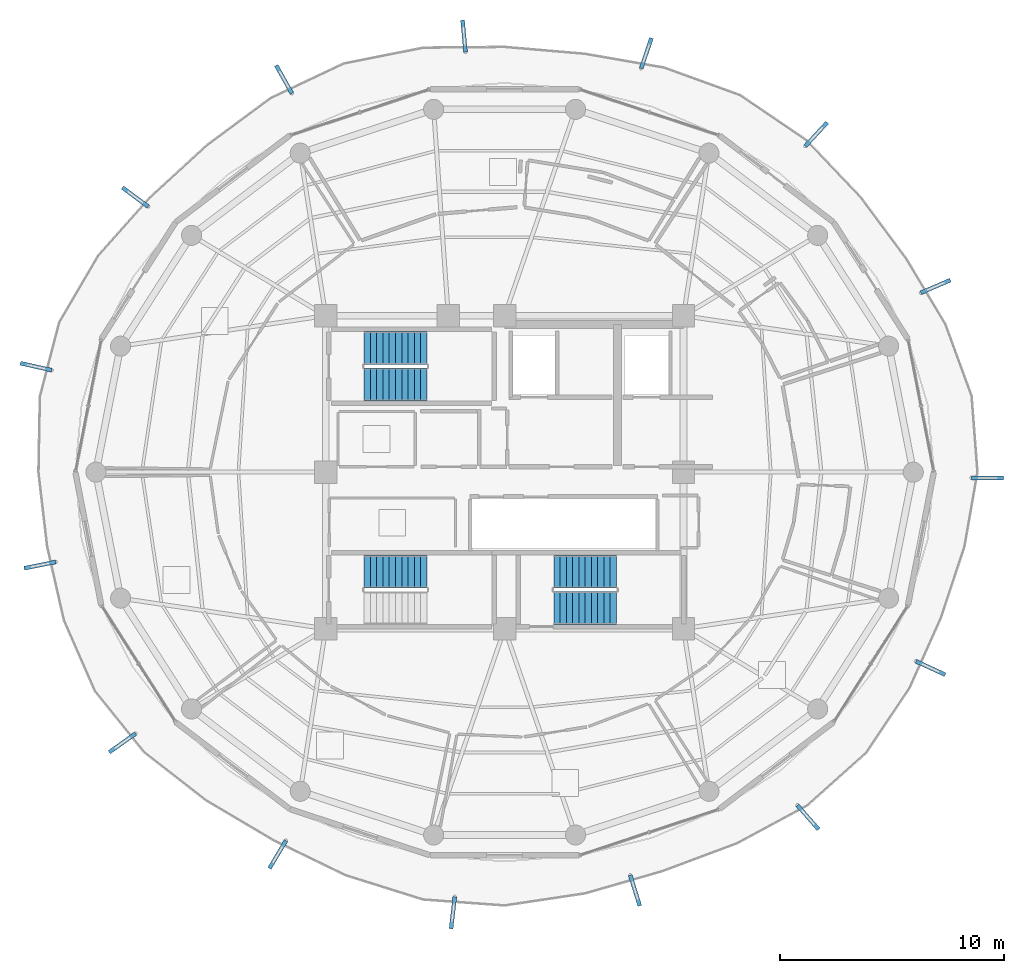
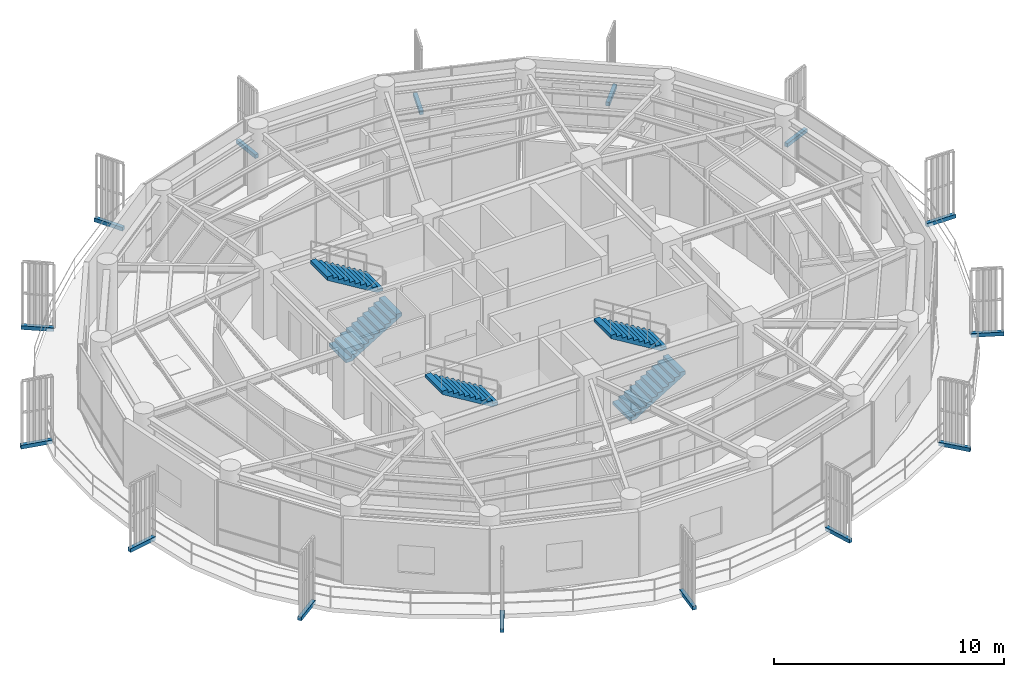
# One storey, part 18 of 22: 15 discrete accessories, 5 stair flights, 3 elements without a shape of their own.
"""IFC4 building model written with IfcOpenShell, lengths in metres."""

from ifc_helpers import new_model, si_unit, direction, frame, origin, origin_2d, place, context, subcontext, project, spatial, polyline, rectangle, outline, extrude, source, transform, mapped, material, type_object, element, aggregate, save


model = new_model("IFC4")

# Units and contexts
model_context = context("Model", 3, precision=1e-05, world=origin(), true_north=direction((0.0, 1.0)))
body_context = subcontext(model_context, "Body", "Model", "MODEL_VIEW")
ifc_project = project(units=[si_unit("LENGTHUNIT", "METRE"), si_unit("AREAUNIT", "SQUARE_METRE"), si_unit("VOLUMEUNIT", "CUBIC_METRE"), si_unit("PLANEANGLEUNIT", "RADIAN"), si_unit("MASSUNIT", "GRAM", prefix="KILO")], contexts=[model_context])

# Site, building, storey
site_placement = place(None, origin())
site = spatial("IfcSite", under=ifc_project, at=site_placement, CompositionType="ELEMENT")
building_placement = place(site_placement, origin())
building = spatial("IfcBuilding", under=site, at=building_placement, Name="Kelanora Arch Commons", CompositionType="ELEMENT")
storey_placement = place(building_placement, frame((0.0, 0.0, 267.449951171875)))
storey = spatial("IfcBuildingStorey", under=building, at=storey_placement, Name="L68", CompositionType="ELEMENT", Elevation=267.449951171875)

# Stair, stair flights
ifc_material_1 = material(Name="Concrete C40/50", Category="concrete")
stair_type = type_object("IfcStairType", Name="STR-DL-375", PredefinedType="HALF_TURN_STAIR", material=ifc_material_1)
stair_1_placement = place(storey_placement, origin())
stair_1 = element("IfcStair", 1, at=stair_1_placement, inside=storey, type_object=stair_type, Name="L68 ST-T1", PredefinedType="HALF_TURN_STAIR")
stair_flight_type = type_object("IfcStairFlightType", Name="FLT-DL-375", PredefinedType="STRAIGHT", material=ifc_material_1)
stair_flight_1_placement = place(storey_placement, frame((67.719970703125, 61.919921875, 0.0), z_axis=(0.0, 0.0, 1.0), x_axis=(1.0, 0.0, 0.0)))
stair_flight_1 = element("IfcStairFlight", 2, at=stair_flight_1_placement, type_object=stair_flight_type, Name="ST-T1 flight 1", NumberOfRisers=11, NumberOfTreads=10, PredefinedType="STRAIGHT", RiserHeight=0.170454545, TreadLength=0.28, context=body_context, shape_type="SweptSolid", body=[
    extrude(outline(polyline([(0.0, 0.0), (0.0, 0.17041015625), (0.280029296875, 0.17041015625), (0.280029296875, 0.3408203125), (0.56005859375, 0.3408203125), (0.56005859375, 0.511474609375), (0.840087890625, 0.511474609375), (0.840087890625, 0.681884765625), (1.1201171875, 0.681884765625), (1.1201171875, 0.852294921875), (1.39990234375, 0.852294921875), (1.39990234375, 1.022705078125), (1.679931640625, 1.022705078125), (1.679931640625, 1.193115234375), (1.9599609375, 1.193115234375), (1.9599609375, 1.363525390625), (2.239990234375, 1.363525390625), (2.239990234375, 1.5341796875), (2.52001953125, 1.5341796875), (2.52001953125, 1.70458984375), (2.800048828125, 1.70458984375), (2.800048828125, 1.875), (2.800048828125, 1.529052734375), (0.288330078125, 0.0), (0.0, 0.0)])), frame((0.0, 0.739990234375, 0.0), z_axis=(0.0, -1.0, 0.0), x_axis=(1.0, 0.0, 0.0)), (0.0, 0.0, 1.0), 1.47998046875),
])
stair_flight_2_placement = place(storey_placement, frame((70.52001953125, 63.550048828125, 1.875), z_axis=(0.0, 0.0, 1.0), x_axis=(-1.0, 0.0, 0.0)))
stair_flight_2 = element("IfcStairFlight", 3, at=stair_flight_2_placement, type_object=stair_flight_type, Name="ST-T1 flight 2", NumberOfRisers=11, NumberOfTreads=10, PredefinedType="STRAIGHT", RiserHeight=0.170454545, TreadLength=0.28, context=body_context, shape_type="SweptSolid", body=[
    extrude(outline(polyline([(0.0, 0.0), (0.0, 0.17041015625), (0.280029296875, 0.17041015625), (0.280029296875, 0.3408203125), (0.56005859375, 0.3408203125), (0.56005859375, 0.511474609375), (0.840087890625, 0.511474609375), (0.840087890625, 0.681884765625), (1.1201171875, 0.681884765625), (1.1201171875, 0.852294921875), (1.39990234375, 0.852294921875), (1.39990234375, 1.022705078125), (1.679931640625, 1.022705078125), (1.679931640625, 1.193115234375), (1.9599609375, 1.193115234375), (1.9599609375, 1.363525390625), (2.239990234375, 1.363525390625), (2.239990234375, 1.5341796875), (2.52001953125, 1.5341796875), (2.52001953125, 1.70458984375), (2.800048828125, 1.70458984375), (2.800048828125, 1.875), (2.800048828125, 1.529052734375), (0.288330078125, 0.0), (0.0, 0.0)])), frame((0.0, 0.739990234375, 0.0), z_axis=(0.0, -1.0, 0.0), x_axis=(1.0, 0.0, 0.0)), (0.0, 0.0, 1.0), 1.47998046875),
])
aggregate(stair_1, [stair_flight_1, stair_flight_2])

stair_2_placement = place(storey_placement, origin())
stair_2 = element("IfcStair", 4, at=stair_2_placement, inside=storey, type_object=stair_type, Name="L68 ST-T2", PredefinedType="HALF_TURN_STAIR")
stair_flight_3_placement = place(storey_placement, frame((76.199951171875, 51.919921875, 0.0), z_axis=(0.0, 0.0, 1.0), x_axis=(1.0, 0.0, 0.0)))
stair_flight_3 = element("IfcStairFlight", 5, at=stair_flight_3_placement, type_object=stair_flight_type, Name="ST-T2 flight 1", NumberOfRisers=11, NumberOfTreads=10, PredefinedType="STRAIGHT", RiserHeight=0.170454545, TreadLength=0.28, context=body_context, shape_type="SweptSolid", body=[
    extrude(outline(polyline([(0.0, 0.0), (0.0, 0.17041015625), (0.280029296875, 0.17041015625), (0.280029296875, 0.3408203125), (0.56005859375, 0.3408203125), (0.56005859375, 0.511474609375), (0.840087890625, 0.511474609375), (0.840087890625, 0.681884765625), (1.1201171875, 0.681884765625), (1.1201171875, 0.852294921875), (1.39990234375, 0.852294921875), (1.39990234375, 1.022705078125), (1.679931640625, 1.022705078125), (1.679931640625, 1.193115234375), (1.9599609375, 1.193115234375), (1.9599609375, 1.363525390625), (2.239990234375, 1.363525390625), (2.239990234375, 1.5341796875), (2.52001953125, 1.5341796875), (2.52001953125, 1.70458984375), (2.800048828125, 1.70458984375), (2.800048828125, 1.875), (2.800048828125, 1.529052734375), (0.288330078125, 0.0), (0.0, 0.0)])), frame((0.0, 0.739990234375, 0.0), z_axis=(0.0, -1.0, 0.0), x_axis=(1.0, 0.0, 0.0)), (0.0, 0.0, 1.0), 1.47998046875),
])
stair_flight_4_placement = place(storey_placement, frame((79.0, 53.550048828125, 1.875), z_axis=(0.0, 0.0, 1.0), x_axis=(-1.0, 0.0, 0.0)))
stair_flight_4 = element("IfcStairFlight", 6, at=stair_flight_4_placement, type_object=stair_flight_type, Name="ST-T2 flight 2", NumberOfRisers=11, NumberOfTreads=10, PredefinedType="STRAIGHT", RiserHeight=0.170454545, TreadLength=0.28, context=body_context, shape_type="SweptSolid", body=[
    extrude(outline(polyline([(0.0, 0.0), (0.0, 0.17041015625), (0.280029296875, 0.17041015625), (0.280029296875, 0.3408203125), (0.56005859375, 0.3408203125), (0.56005859375, 0.511474609375), (0.840087890625, 0.511474609375), (0.840087890625, 0.681884765625), (1.1201171875, 0.681884765625), (1.1201171875, 0.852294921875), (1.39990234375, 0.852294921875), (1.39990234375, 1.022705078125), (1.679931640625, 1.022705078125), (1.679931640625, 1.193115234375), (1.9599609375, 1.193115234375), (1.9599609375, 1.363525390625), (2.239990234375, 1.363525390625), (2.239990234375, 1.5341796875), (2.52001953125, 1.5341796875), (2.52001953125, 1.70458984375), (2.800048828125, 1.70458984375), (2.800048828125, 1.875), (2.800048828125, 1.529052734375), (0.288330078125, 0.0), (0.0, 0.0)])), frame((0.0, 0.739990234375, 0.0), z_axis=(0.0, -1.0, 0.0), x_axis=(1.0, 0.0, 0.0)), (0.0, 0.0, 1.0), 1.47998046875),
])
aggregate(stair_2, [stair_flight_3, stair_flight_4])

# Stair, stair flight
stair_3_placement = place(storey_placement, origin())
stair_3 = element("IfcStair", 7, at=stair_3_placement, inside=storey, type_object=stair_type, Name="L68 ST-T3", PredefinedType="HALF_TURN_STAIR")
stair_flight_5_placement = place(storey_placement, frame((70.52001953125, 53.550048828125, 1.875), z_axis=(0.0, 0.0, 1.0), x_axis=(-1.0, 0.0, 0.0)))
stair_flight_5 = element("IfcStairFlight", 8, at=stair_flight_5_placement, type_object=stair_flight_type, Name="ST-T3 flight 2", NumberOfRisers=11, NumberOfTreads=10, PredefinedType="STRAIGHT", RiserHeight=0.170454545, TreadLength=0.28, context=body_context, shape_type="SweptSolid", body=[
    extrude(outline(polyline([(0.0, 0.0), (0.0, 0.17041015625), (0.280029296875, 0.17041015625), (0.280029296875, 0.3408203125), (0.56005859375, 0.3408203125), (0.56005859375, 0.511474609375), (0.840087890625, 0.511474609375), (0.840087890625, 0.681884765625), (1.1201171875, 0.681884765625), (1.1201171875, 0.852294921875), (1.39990234375, 0.852294921875), (1.39990234375, 1.022705078125), (1.679931640625, 1.022705078125), (1.679931640625, 1.193115234375), (1.9599609375, 1.193115234375), (1.9599609375, 1.363525390625), (2.239990234375, 1.363525390625), (2.239990234375, 1.5341796875), (2.52001953125, 1.5341796875), (2.52001953125, 1.70458984375), (2.800048828125, 1.70458984375), (2.800048828125, 1.875), (2.800048828125, 1.529052734375), (0.288330078125, 0.0), (0.0, 0.0)])), frame((0.0, 0.739990234375, 0.0), z_axis=(0.0, -1.0, 0.0), x_axis=(1.0, 0.0, 0.0)), (0.0, 0.0, 1.0), 1.47998046875),
])
aggregate(stair_3, [stair_flight_5])

# Discrete accessories
ifc_material_2 = material(Name="Stainless steel 316 marine fin bracket", Category="steel")
discrete_accessory_type = type_object("IfcDiscreteAccessoryType", Name="ACC-FIN-BRK", PredefinedType="BRACKET", material=ifc_material_2)
shared_shape = source(origin(), body_context, "Body", "SweptSolid", [
    extrude(rectangle(XDim=1.435791015625, YDim=0.179931640625, at=origin_2d()), origin(), (0.0, 0.0, 1.0), 0.199951171875),
])
for number, where, z_axis, x_axis, name in (
    (9, (93.05224609375, 49.2421875, -0.16015625), (0.0, 0.0, 1.0), (0.908581095252, -0.417708502848, 0.0), "Sweeping Fin Cantilever Spine Bracket L68-00"),
    (10, (95.599609375, 57.740966796875, -0.16015625), (0.0, 0.0, 1.0), (0.9999274867, -0.01204248075, 0.0), "Sweeping Fin Cantilever Spine Bracket L68-01"),
    (11, (93.27880859375, 66.30810546875, -0.16015625), (0.0, 0.0, 1.0), (0.918377331641, 0.395705795671, 0.0), "Sweeping Fin Cantilever Spine Bracket L68-02"),
    (12, (87.93798828125, 73.111328125, -0.16015625), (0.0, 0.0, 1.0), (0.678031392746, 0.735032945147, 0.0), "Sweeping Fin Cantilever Spine Bracket L68-03"),
    (13, (80.337158203125, 76.736083984375, -0.16015625), (0.0, 0.0, 1.0), (0.320447666323, 0.947266220842, 0.0), "Sweeping Fin Cantilever Spine Bracket L68-04"),
    (14, (72.186279296875, 77.501708984375, -0.16015625), (0.0, 0.0, 1.0), (-0.092544372783, 0.99570856131, 0.0), "Sweeping Fin Cantilever Spine Bracket L68-05"),
    (15, (64.135986328125, 75.568115234375, -0.16015625), (0.0, 0.0, 1.0), (-0.489534649095, 0.871983845799, 0.0), "Sweeping Fin Cantilever Spine Bracket L68-06"),
    (16, (57.484375, 70.304443359375, -0.16015625), (0.0, 0.0, 1.0), (-0.801879937297, 0.597485201625, 0.0), "Sweeping Fin Cantilever Spine Bracket L68-07"),
    (17, (53.04638671875, 62.717041015625, -0.16015625), (0.0, 0.0, 1.0), (-0.975572899489, 0.219675938108, 0.0), "Sweeping Fin Cantilever Spine Bracket L68-08"),
    (18, (53.218017578125, 53.842529296875, -0.16015625), (0.0, 0.0, 1.0), (-0.980580444557, -0.196117290802, 0.0), "Sweeping Fin Cantilever Spine Bracket L68-09"),
    (19, (56.906494140625, 45.89111328125, -0.16015625), (0.0, 0.0, 1.0), (-0.816036722469, -0.578000058462, 0.0), "Sweeping Fin Cantilever Spine Bracket L68-10"),
    (20, (63.8515625, 40.899169921875, -0.16015625), (0.0, 0.0, 1.0), (-0.510392837604, -0.859941365049, 0.0), "Sweeping Fin Cantilever Spine Bracket L68-11"),
    (21, (71.689697265625, 38.29541015625, -0.16015625), (0.0, 0.0, 1.0), (-0.116497394345, -0.993190997297, 0.0), "Sweeping Fin Cantilever Spine Bracket L68-12"),
    (22, (79.832275390625, 39.289306640625, -0.16015625), (0.0, 0.0, 1.0), (0.297541506743, -0.954708883255, 0.0), "Sweeping Fin Cantilever Spine Bracket L68-13"),
    (23, (87.5673828125, 42.563720703125, -0.16015625), (0.0, 0.0, 1.0), (0.660132778235, -0.75114893004, 0.0), "Sweeping Fin Cantilever Spine Bracket L68-14"),
):
    element("IfcDiscreteAccessory", number, at=place(storey_placement, frame(where, z_axis=z_axis, x_axis=x_axis)), inside=storey, type_object=discrete_accessory_type, Name=name, PredefinedType="BRACKET", context=body_context, shape_type="MappedRepresentation", body=[
        mapped(shared_shape, transform((0.0, 0.0, 0.0), scale=1.0)),
    ])

save(model, "model.ifc")
